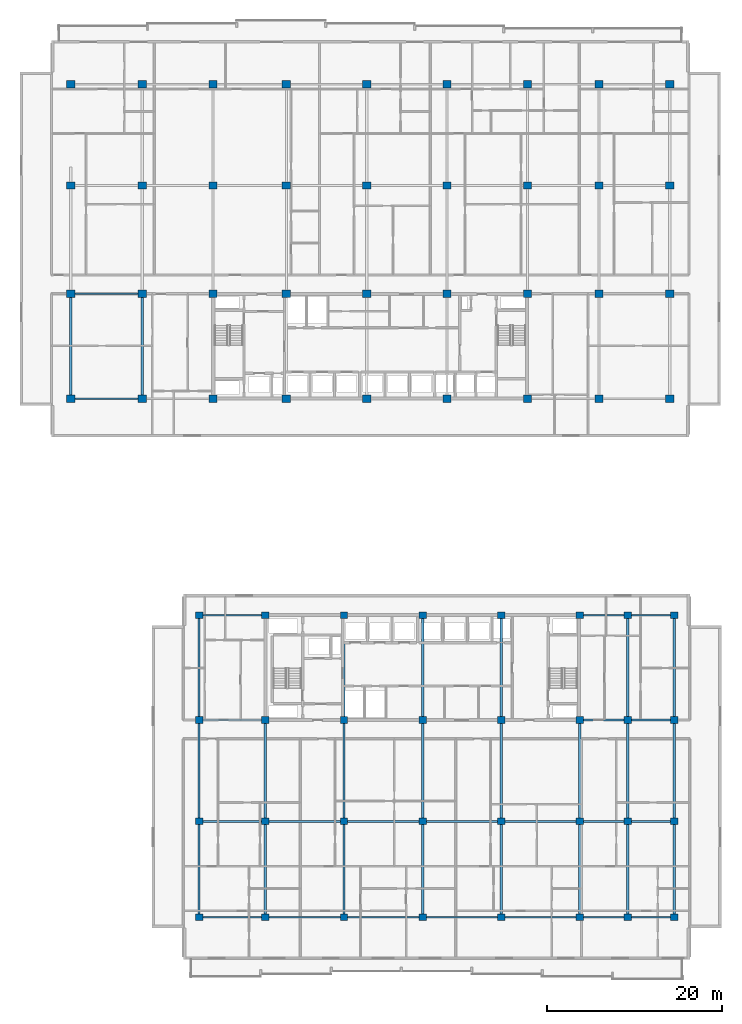
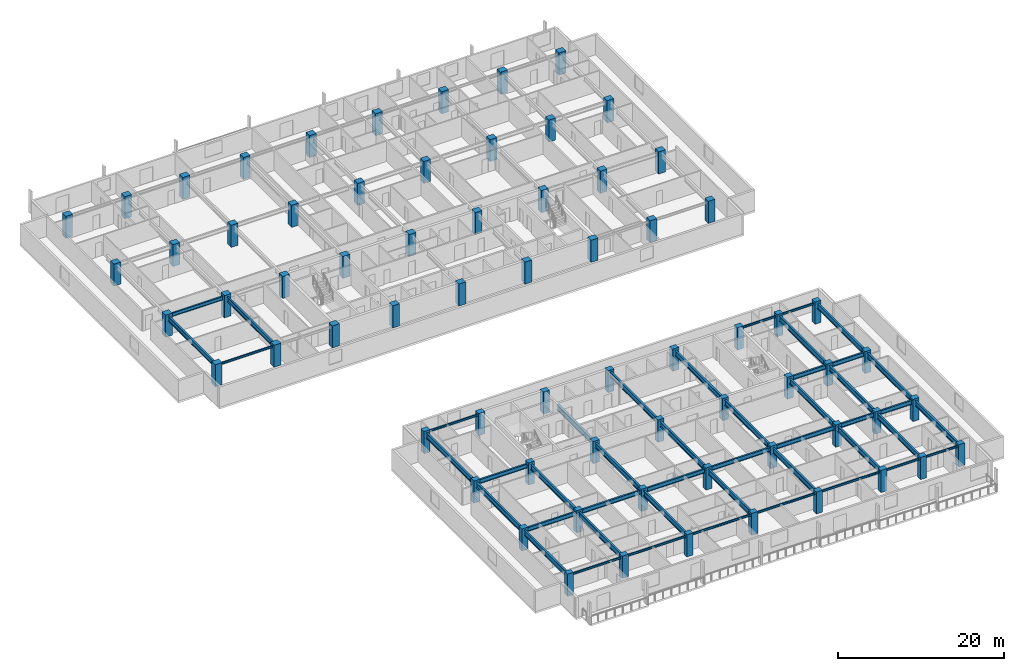
# One storey, part 1 of 22: 68 columns, 46 beams.
"""IFC4 building model written with IfcOpenShell, lengths in metres."""

from ifc_helpers import new_model, si_unit, direction, frame, origin, origin_2d, place, context, subcontext, project, spatial, rectangle, i_section, extrude, material, material_profile, profile_set, type_object, element, save


model = new_model("IFC4")

# Units and contexts
model_context = context("Model", 3, precision=1e-05, world=origin(), true_north=direction((0.0, 1.0)))
body_context = subcontext(model_context, "Body", "Model", "MODEL_VIEW")
ifc_project = project(units=[si_unit("LENGTHUNIT", "METRE"), si_unit("AREAUNIT", "SQUARE_METRE"), si_unit("VOLUMEUNIT", "CUBIC_METRE"), si_unit("PLANEANGLEUNIT", "RADIAN"), si_unit("MASSUNIT", "GRAM", prefix="KILO")], contexts=[model_context])

# Site, building, storey
site_placement = place(None, origin())
site = spatial("IfcSite", under=ifc_project, at=site_placement, CompositionType="ELEMENT")
building_placement = place(site_placement, origin())
building = spatial("IfcBuilding", under=site, at=building_placement, Name="Korimba Cascade Residences", CompositionType="ELEMENT")
storey_placement = place(building_placement, frame((0.0, 0.0, 84.050048828125)))
storey = spatial("IfcBuildingStorey", under=building, at=storey_placement, Name="L23", CompositionType="ELEMENT", Elevation=84.050048828125)

# Columns
ifc_material_1 = material(Name="Concrete C65/80", Category="concrete")
ifc_material_profile_1 = material_profile(ifc_material_1, rectangle(XDim=0.85009765625, YDim=0.75, at=origin_2d()), Name="Concrete C65/80")
ifc_profile_set_1 = profile_set([ifc_material_profile_1], Name="Concrete C65/80")
column_type_1 = type_object("IfcColumnType", Name="COL-RC-850", PredefinedType="COLUMN", material=ifc_profile_set_1)
for number, where, z_axis, x_axis, name in (
    (1, (74.5, -4.199951171875, 0.0), (0.0, 0.0, 1.0), (1.0, 0.0, 0.0), "L23 Tower 2 Column 1.1"),
    (2, (74.5, 6.800048828125, 0.0), (0.0, 0.0, 1.0), (1.0, 0.0, 0.0), "L23 Tower 2 Column 1.2"),
    (3, (74.5, 18.39990234375, 0.0), (0.0, 0.0, 1.0), (1.0, 0.0, 0.0), "L23 Tower 2 Column 1.3"),
    (4, (74.5, 30.39990234375, 0.0), (0.0, 0.0, 1.0), (1.0, 0.0, 0.0), "L23 Tower 2 Column 1.4"),
    (5, (82.10009765625, -4.199951171875, 0.0), (0.0, 0.0, 1.0), (1.0, 0.0, 0.0), "L23 Tower 2 Column 2.1"),
    (6, (82.10009765625, 6.800048828125, 0.0), (0.0, 0.0, 1.0), (1.0, 0.0, 0.0), "L23 Tower 2 Column 2.2"),
    (7, (82.10009765625, 18.39990234375, 0.0), (0.0, 0.0, 1.0), (1.0, 0.0, 0.0), "L23 Tower 2 Column 2.3"),
    (8, (82.10009765625, 30.39990234375, 0.0), (0.0, 0.0, 1.0), (1.0, 0.0, 0.0), "L23 Tower 2 Column 2.4"),
    (9, (91.10009765625, -4.199951171875, 0.0), (0.0, 0.0, 1.0), (1.0, 0.0, 0.0), "L23 Tower 2 Column 3.1"),
    (10, (91.10009765625, 6.800048828125, 0.0), (0.0, 0.0, 1.0), (1.0, 0.0, 0.0), "L23 Tower 2 Column 3.2"),
    (11, (91.10009765625, 18.39990234375, 0.0), (0.0, 0.0, 1.0), (1.0, 0.0, 0.0), "L23 Tower 2 Column 3.3"),
    (12, (91.10009765625, 30.39990234375, 0.0), (0.0, 0.0, 1.0), (1.0, 0.0, 0.0), "L23 Tower 2 Column 3.4"),
    (13, (100.10009765625, -4.199951171875, 0.0), (0.0, 0.0, 1.0), (1.0, 0.0, 0.0), "L23 Tower 2 Column 4.1"),
    (14, (100.10009765625, 6.800048828125, 0.0), (0.0, 0.0, 1.0), (1.0, 0.0, 0.0), "L23 Tower 2 Column 4.2"),
    (15, (100.10009765625, 18.39990234375, 0.0), (0.0, 0.0, 1.0), (1.0, 0.0, 0.0), "L23 Tower 2 Column 4.3"),
    (16, (100.10009765625, 30.39990234375, 0.0), (0.0, 0.0, 1.0), (1.0, 0.0, 0.0), "L23 Tower 2 Column 4.4"),
    (17, (109.10009765625, -4.199951171875, 0.0), (0.0, 0.0, 1.0), (1.0, 0.0, 0.0), "L23 Tower 2 Column 5.1"),
    (18, (109.10009765625, 6.800048828125, 0.0), (0.0, 0.0, 1.0), (1.0, 0.0, 0.0), "L23 Tower 2 Column 5.2"),
    (19, (109.10009765625, 18.39990234375, 0.0), (0.0, 0.0, 1.0), (1.0, 0.0, 0.0), "L23 Tower 2 Column 5.3"),
    (20, (109.10009765625, 30.39990234375, 0.0), (0.0, 0.0, 1.0), (1.0, 0.0, 0.0), "L23 Tower 2 Column 5.4"),
    (21, (118.10009765625, -4.199951171875, 0.0), (0.0, 0.0, 1.0), (1.0, 0.0, 0.0), "L23 Tower 2 Column 6.1"),
    (22, (118.10009765625, 6.800048828125, 0.0), (0.0, 0.0, 1.0), (1.0, 0.0, 0.0), "L23 Tower 2 Column 6.2"),
    (23, (118.10009765625, 18.39990234375, 0.0), (0.0, 0.0, 1.0), (1.0, 0.0, 0.0), "L23 Tower 2 Column 6.3"),
    (24, (118.10009765625, 30.39990234375, 0.0), (0.0, 0.0, 1.0), (1.0, 0.0, 0.0), "L23 Tower 2 Column 6.4"),
    (25, (123.60009765625, -4.199951171875, 0.0), (0.0, 0.0, 1.0), (1.0, 0.0, 0.0), "L23 Tower 2 Column 7.1"),
    (26, (123.60009765625, 6.800048828125, 0.0), (0.0, 0.0, 1.0), (1.0, 0.0, 0.0), "L23 Tower 2 Column 7.2"),
    (27, (123.60009765625, 18.39990234375, 0.0), (0.0, 0.0, 1.0), (1.0, 0.0, 0.0), "L23 Tower 2 Column 7.3"),
    (28, (123.60009765625, 30.39990234375, 0.0), (0.0, 0.0, 1.0), (1.0, 0.0, 0.0), "L23 Tower 2 Column 7.4"),
    (29, (128.89990234375, -4.199951171875, 0.0), (0.0, 0.0, 1.0), (1.0, 0.0, 0.0), "L23 Tower 2 Column 8.1"),
    (30, (128.89990234375, 6.800048828125, 0.0), (0.0, 0.0, 1.0), (1.0, 0.0, 0.0), "L23 Tower 2 Column 8.2"),
    (31, (128.89990234375, 18.39990234375, 0.0), (0.0, 0.0, 1.0), (1.0, 0.0, 0.0), "L23 Tower 2 Column 8.3"),
    (32, (128.89990234375, 30.39990234375, 0.0), (0.0, 0.0, 1.0), (1.0, 0.0, 0.0), "L23 Tower 2 Column 8.4"),
):
    element("IfcColumn", number, at=place(storey_placement, frame(where, z_axis=z_axis, x_axis=x_axis)), inside=storey, type_object=column_type_1, Name=name, PredefinedType="COLUMN", context=body_context, shape_type="SweptSolid", body=[
        extrude(rectangle(XDim=0.85009765625, YDim=0.75, at=origin_2d()), origin(), (0.0, 0.0, 1.0), 3.25),
    ])
ifc_material_profile_2 = material_profile(ifc_material_1, rectangle(XDim=0.949951171875, YDim=0.85009765625, at=origin_2d()), Name="Concrete C65/80")
ifc_profile_set_2 = profile_set([ifc_material_profile_2], Name="Concrete C65/80")
column_type_2 = type_object("IfcColumnType", Name="COL-RC-950", PredefinedType="COLUMN", material=ifc_profile_set_2)
for number, where, z_axis, x_axis, name in (
    (33, (59.800048828125, 55.199951171875, 0.0), (0.0, 0.0, 1.0), (1.0, 0.0, 0.0), "L23 Tower 1 Column 1.1"),
    (34, (59.800048828125, 67.199951171875, 0.0), (0.0, 0.0, 1.0), (1.0, 0.0, 0.0), "L23 Tower 1 Column 1.2"),
    (35, (59.800048828125, 79.60009765625, 0.0), (0.0, 0.0, 1.0), (1.0, 0.0, 0.0), "L23 Tower 1 Column 1.3"),
    (36, (59.800048828125, 91.199951171875, 0.0), (0.0, 0.0, 1.0), (1.0, 0.0, 0.0), "L23 Tower 1 Column 1.4"),
    (37, (68.0, 55.199951171875, 0.0), (0.0, 0.0, 1.0), (1.0, 0.0, 0.0), "L23 Tower 1 Column 2.1"),
    (38, (68.0, 67.199951171875, 0.0), (0.0, 0.0, 1.0), (1.0, 0.0, 0.0), "L23 Tower 1 Column 2.2"),
    (39, (68.0, 79.60009765625, 0.0), (0.0, 0.0, 1.0), (1.0, 0.0, 0.0), "L23 Tower 1 Column 2.3"),
    (40, (68.0, 91.199951171875, 0.0), (0.0, 0.0, 1.0), (1.0, 0.0, 0.0), "L23 Tower 1 Column 2.4"),
    (41, (76.10009765625, 55.199951171875, 0.0), (0.0, 0.0, 1.0), (1.0, 0.0, 0.0), "L23 Tower 1 Column 3.1"),
    (42, (76.10009765625, 67.199951171875, 0.0), (0.0, 0.0, 1.0), (1.0, 0.0, 0.0), "L23 Tower 1 Column 3.2"),
    (43, (76.10009765625, 79.60009765625, 0.0), (0.0, 0.0, 1.0), (1.0, 0.0, 0.0), "L23 Tower 1 Column 3.3"),
    (44, (76.10009765625, 91.199951171875, 0.0), (0.0, 0.0, 1.0), (1.0, 0.0, 0.0), "L23 Tower 1 Column 3.4"),
    (45, (84.5, 55.199951171875, 0.0), (0.0, 0.0, 1.0), (1.0, 0.0, 0.0), "L23 Tower 1 Column 4.1"),
    (46, (84.5, 67.199951171875, 0.0), (0.0, 0.0, 1.0), (1.0, 0.0, 0.0), "L23 Tower 1 Column 4.2"),
    (47, (84.5, 79.60009765625, 0.0), (0.0, 0.0, 1.0), (1.0, 0.0, 0.0), "L23 Tower 1 Column 4.3"),
    (48, (84.5, 91.199951171875, 0.0), (0.0, 0.0, 1.0), (1.0, 0.0, 0.0), "L23 Tower 1 Column 4.4"),
    (49, (93.699951171875, 55.199951171875, 0.0), (0.0, 0.0, 1.0), (1.0, 0.0, 0.0), "L23 Tower 1 Column 5.1"),
    (50, (93.699951171875, 67.199951171875, 0.0), (0.0, 0.0, 1.0), (1.0, 0.0, 0.0), "L23 Tower 1 Column 5.2"),
    (51, (93.699951171875, 79.60009765625, 0.0), (0.0, 0.0, 1.0), (1.0, 0.0, 0.0), "L23 Tower 1 Column 5.3"),
    (52, (93.699951171875, 91.199951171875, 0.0), (0.0, 0.0, 1.0), (1.0, 0.0, 0.0), "L23 Tower 1 Column 5.4"),
    (53, (102.89990234375, 55.199951171875, 0.0), (0.0, 0.0, 1.0), (1.0, 0.0, 0.0), "L23 Tower 1 Column 6.1"),
    (54, (102.89990234375, 67.199951171875, 0.0), (0.0, 0.0, 1.0), (1.0, 0.0, 0.0), "L23 Tower 1 Column 6.2"),
    (55, (102.89990234375, 79.60009765625, 0.0), (0.0, 0.0, 1.0), (1.0, 0.0, 0.0), "L23 Tower 1 Column 6.3"),
    (56, (102.89990234375, 91.199951171875, 0.0), (0.0, 0.0, 1.0), (1.0, 0.0, 0.0), "L23 Tower 1 Column 6.4"),
    (57, (112.10009765625, 55.199951171875, 0.0), (0.0, 0.0, 1.0), (1.0, 0.0, 0.0), "L23 Tower 1 Column 7.1"),
    (58, (112.10009765625, 67.199951171875, 0.0), (0.0, 0.0, 1.0), (1.0, 0.0, 0.0), "L23 Tower 1 Column 7.2"),
    (59, (112.10009765625, 79.60009765625, 0.0), (0.0, 0.0, 1.0), (1.0, 0.0, 0.0), "L23 Tower 1 Column 7.3"),
    (60, (112.10009765625, 91.199951171875, 0.0), (0.0, 0.0, 1.0), (1.0, 0.0, 0.0), "L23 Tower 1 Column 7.4"),
    (61, (120.300048828125, 55.199951171875, 0.0), (0.0, 0.0, 1.0), (1.0, 0.0, 0.0), "L23 Tower 1 Column 8.1"),
    (62, (120.300048828125, 67.199951171875, 0.0), (0.0, 0.0, 1.0), (1.0, 0.0, 0.0), "L23 Tower 1 Column 8.2"),
    (63, (120.300048828125, 79.60009765625, 0.0), (0.0, 0.0, 1.0), (1.0, 0.0, 0.0), "L23 Tower 1 Column 8.3"),
    (64, (120.300048828125, 91.199951171875, 0.0), (0.0, 0.0, 1.0), (1.0, 0.0, 0.0), "L23 Tower 1 Column 8.4"),
    (65, (128.39990234375, 55.199951171875, 0.0), (0.0, 0.0, 1.0), (1.0, 0.0, 0.0), "L23 Tower 1 Column 9.1"),
    (66, (128.39990234375, 67.199951171875, 0.0), (0.0, 0.0, 1.0), (1.0, 0.0, 0.0), "L23 Tower 1 Column 9.2"),
    (67, (128.39990234375, 79.60009765625, 0.0), (0.0, 0.0, 1.0), (1.0, 0.0, 0.0), "L23 Tower 1 Column 9.3"),
    (68, (128.39990234375, 91.199951171875, 0.0), (0.0, 0.0, 1.0), (1.0, 0.0, 0.0), "L23 Tower 1 Column 9.4"),
):
    element("IfcColumn", number, at=place(storey_placement, frame(where, z_axis=z_axis, x_axis=x_axis)), inside=storey, type_object=column_type_2, Name=name, PredefinedType="COLUMN", context=body_context, shape_type="SweptSolid", body=[
        extrude(rectangle(XDim=0.949951171875, YDim=0.85009765625, at=origin_2d()), origin(), (0.0, 0.0, 1.0), 3.25),
    ])

# Beams
ifc_material_2 = material(Name="Steel S355", Category="steel")
ifc_material_profile_3 = material_profile(ifc_material_2, i_section(OverallWidth=0.165771484375, OverallDepth=0.306640625, WebThickness=0.006591796875, FlangeThickness=0.01171875, FilletRadius=0.0087890625, at=origin_2d()), Name="Steel S355")
ifc_profile_set_3 = profile_set([ifc_material_profile_3], Name="Steel S355")
beam_type_1 = type_object("IfcBeamType", Name="BM-STL-UB305", PredefinedType="SPANDREL", material=ifc_profile_set_3)
beam_1_placement = place(storey_placement, frame((60.27490234375, 55.199951171875, 2.816650390625), z_axis=(1.0, 0.0, 0.0), x_axis=(0.0, 1.0, 0.0)))
element("IfcBeam", 69, at=beam_1_placement, inside=storey, type_object=beam_type_1, Name="L23 T1 E-W Girder Y1 Bay 1", PredefinedType="SPANDREL", context=body_context, shape_type="SweptSolid", body=[
    extrude(i_section(OverallWidth=0.165771484375, OverallDepth=0.306640625, WebThickness=0.006591796875, FlangeThickness=0.01171875, FilletRadius=0.0087890625, at=origin_2d()), origin(), (0.0, 0.0, 1.0), 7.25),
])
beam_2_placement = place(storey_placement, frame((74.925048828125, -4.199951171875, 2.816650390625), z_axis=(1.0, 0.0, 0.0), x_axis=(0.0, 1.0, 0.0)))
element("IfcBeam", 70, at=beam_2_placement, inside=storey, type_object=beam_type_1, Name="L23 T2 E-W Girder Y1 Bay 1", PredefinedType="SPANDREL", context=body_context, shape_type="SweptSolid", body=[
    extrude(i_section(OverallWidth=0.165771484375, OverallDepth=0.306640625, WebThickness=0.006591796875, FlangeThickness=0.01171875, FilletRadius=0.0087890625, at=origin_2d()), origin(), (0.0, 0.0, 1.0), 6.75),
])
for number, where, z_axis, x_axis, name in (
    (71, (82.52490234375, -4.199951171875, 2.816650390625), (1.0, 0.0, 0.0), (0.0, 1.0, 0.0), "L23 T2 E-W Girder Y1 Bay 2"),
    (72, (91.52490234375, -4.199951171875, 2.816650390625), (1.0, 0.0, 0.0), (0.0, 1.0, 0.0), "L23 T2 E-W Girder Y1 Bay 3"),
    (73, (100.52490234375, -4.199951171875, 2.816650390625), (1.0, 0.0, 0.0), (0.0, 1.0, 0.0), "L23 T2 E-W Girder Y1 Bay 4"),
    (74, (109.52490234375, -4.199951171875, 2.816650390625), (1.0, 0.0, 0.0), (0.0, 1.0, 0.0), "L23 T2 E-W Girder Y1 Bay 5"),
):
    element("IfcBeam", number, at=place(storey_placement, frame(where, z_axis=z_axis, x_axis=x_axis)), inside=storey, type_object=beam_type_1, Name=name, PredefinedType="SPANDREL", context=body_context, shape_type="SweptSolid", body=[
        extrude(i_section(OverallWidth=0.165771484375, OverallDepth=0.306640625, WebThickness=0.006591796875, FlangeThickness=0.01171875, FilletRadius=0.0087890625, at=origin_2d()), origin(), (0.0, 0.0, 1.0), 8.150146484375),
    ])
beam_3_placement = place(storey_placement, frame((118.52490234375, -4.199951171875, 2.816650390625), z_axis=(1.0, 0.0, 0.0), x_axis=(0.0, 1.0, 0.0)))
element("IfcBeam", 75, at=beam_3_placement, inside=storey, type_object=beam_type_1, Name="L23 T2 E-W Girder Y1 Bay 6", PredefinedType="SPANDREL", context=body_context, shape_type="SweptSolid", body=[
    extrude(i_section(OverallWidth=0.165771484375, OverallDepth=0.306640625, WebThickness=0.006591796875, FlangeThickness=0.01171875, FilletRadius=0.0087890625, at=origin_2d()), origin(), (0.0, 0.0, 1.0), 4.650146484375),
])
beam_4_placement = place(storey_placement, frame((124.02490234375, -4.199951171875, 2.816650390625), z_axis=(1.0, 0.0, 0.0), x_axis=(0.0, 1.0, 0.0)))
element("IfcBeam", 76, at=beam_4_placement, inside=storey, type_object=beam_type_1, Name="L23 T2 E-W Girder Y1 Bay 7", PredefinedType="SPANDREL", context=body_context, shape_type="SweptSolid", body=[
    extrude(i_section(OverallWidth=0.165771484375, OverallDepth=0.306640625, WebThickness=0.006591796875, FlangeThickness=0.01171875, FilletRadius=0.0087890625, at=origin_2d()), origin(), (0.0, 0.0, 1.0), 4.4501953125),
])
beam_5_placement = place(storey_placement, frame((74.925048828125, 30.39990234375, 2.816650390625), z_axis=(1.0, 0.0, 0.0), x_axis=(0.0, 1.0, 0.0)))
element("IfcBeam", 77, at=beam_5_placement, inside=storey, type_object=beam_type_1, Name="L23 T2 E-W Girder Y4 Bay 1", PredefinedType="SPANDREL", context=body_context, shape_type="SweptSolid", body=[
    extrude(i_section(OverallWidth=0.165771484375, OverallDepth=0.306640625, WebThickness=0.006591796875, FlangeThickness=0.01171875, FilletRadius=0.0087890625, at=origin_2d()), origin(), (0.0, 0.0, 1.0), 6.75),
])
beam_6_placement = place(storey_placement, frame((118.52490234375, 30.39990234375, 2.816650390625), z_axis=(1.0, 0.0, 0.0), x_axis=(0.0, 1.0, 0.0)))
element("IfcBeam", 78, at=beam_6_placement, inside=storey, type_object=beam_type_1, Name="L23 T2 E-W Girder Y4 Bay 6", PredefinedType="SPANDREL", context=body_context, shape_type="SweptSolid", body=[
    extrude(i_section(OverallWidth=0.165771484375, OverallDepth=0.306640625, WebThickness=0.006591796875, FlangeThickness=0.01171875, FilletRadius=0.0087890625, at=origin_2d()), origin(), (0.0, 0.0, 1.0), 4.650146484375),
])
beam_7_placement = place(storey_placement, frame((124.02490234375, 30.39990234375, 2.816650390625), z_axis=(1.0, 0.0, 0.0), x_axis=(0.0, 1.0, 0.0)))
element("IfcBeam", 79, at=beam_7_placement, inside=storey, type_object=beam_type_1, Name="L23 T2 E-W Girder Y4 Bay 7", PredefinedType="SPANDREL", context=body_context, shape_type="SweptSolid", body=[
    extrude(i_section(OverallWidth=0.165771484375, OverallDepth=0.306640625, WebThickness=0.006591796875, FlangeThickness=0.01171875, FilletRadius=0.0087890625, at=origin_2d()), origin(), (0.0, 0.0, 1.0), 4.4501953125),
])
ifc_material_profile_4 = material_profile(ifc_material_2, i_section(OverallWidth=0.2099609375, OverallDepth=0.53662109375, WebThickness=0.0107421875, FlangeThickness=0.017333984375, FilletRadius=0.0126953125, at=origin_2d()), Name="Steel S355")
ifc_profile_set_4 = profile_set([ifc_material_profile_4], Name="Steel S355")
beam_type_2 = type_object("IfcBeamType", Name="BM-STL-UB533", PredefinedType="BEAM", material=ifc_profile_set_4)
beam_8_placement = place(storey_placement, frame((60.27490234375, 67.199951171875, 2.70166015625), z_axis=(1.0, 0.0, 0.0), x_axis=(0.0, 1.0, 0.0)))
element("IfcBeam", 80, at=beam_8_placement, inside=storey, type_object=beam_type_2, Name="L23 T1 E-W Girder Y2 Bay 1", PredefinedType="BEAM", context=body_context, shape_type="SweptSolid", body=[
    extrude(i_section(OverallWidth=0.2099609375, OverallDepth=0.53662109375, WebThickness=0.0107421875, FlangeThickness=0.017333984375, FilletRadius=0.0126953125, at=origin_2d()), origin(), (0.0, 0.0, 1.0), 7.25),
])
ifc_material_profile_5 = material_profile(ifc_material_2, i_section(OverallWidth=0.22900390625, OverallDepth=0.6123046875, WebThickness=0.011962890625, FlangeThickness=0.01953125, FilletRadius=0.0126953125, at=origin_2d()), Name="Steel S355")
ifc_profile_set_5 = profile_set([ifc_material_profile_5], Name="Steel S355")
beam_type_3 = type_object("IfcBeamType", Name="BM-STL-UB610B", PredefinedType="BEAM", material=ifc_profile_set_5)
beam_9_placement = place(storey_placement, frame((74.925048828125, 6.800048828125, 2.663818359375), z_axis=(1.0, 0.0, 0.0), x_axis=(0.0, 1.0, 0.0)))
element("IfcBeam", 81, at=beam_9_placement, inside=storey, type_object=beam_type_3, Name="L23 T2 E-W Girder Y2 Bay 1", PredefinedType="BEAM", context=body_context, shape_type="SweptSolid", body=[
    extrude(i_section(OverallWidth=0.22900390625, OverallDepth=0.6123046875, WebThickness=0.011962890625, FlangeThickness=0.01953125, FilletRadius=0.0126953125, at=origin_2d()), origin(), (0.0, 0.0, 1.0), 6.75),
])
for number, where, z_axis, x_axis, name in (
    (82, (82.52490234375, 6.800048828125, 2.663818359375), (1.0, 0.0, 0.0), (0.0, 1.0, 0.0), "L23 T2 E-W Girder Y2 Bay 2"),
    (83, (91.52490234375, 6.800048828125, 2.663818359375), (1.0, 0.0, 0.0), (0.0, 1.0, 0.0), "L23 T2 E-W Girder Y2 Bay 3"),
    (84, (100.52490234375, 6.800048828125, 2.663818359375), (1.0, 0.0, 0.0), (0.0, 1.0, 0.0), "L23 T2 E-W Girder Y2 Bay 4"),
    (85, (109.52490234375, 6.800048828125, 2.663818359375), (1.0, 0.0, 0.0), (0.0, 1.0, 0.0), "L23 T2 E-W Girder Y2 Bay 5"),
):
    element("IfcBeam", number, at=place(storey_placement, frame(where, z_axis=z_axis, x_axis=x_axis)), inside=storey, type_object=beam_type_3, Name=name, PredefinedType="BEAM", context=body_context, shape_type="SweptSolid", body=[
        extrude(i_section(OverallWidth=0.22900390625, OverallDepth=0.6123046875, WebThickness=0.011962890625, FlangeThickness=0.01953125, FilletRadius=0.0126953125, at=origin_2d()), origin(), (0.0, 0.0, 1.0), 8.150146484375),
    ])
beam_10_placement = place(storey_placement, frame((118.52490234375, 6.800048828125, 2.663818359375), z_axis=(1.0, 0.0, 0.0), x_axis=(0.0, 1.0, 0.0)))
element("IfcBeam", 86, at=beam_10_placement, inside=storey, type_object=beam_type_3, Name="L23 T2 E-W Girder Y2 Bay 6", PredefinedType="BEAM", context=body_context, shape_type="SweptSolid", body=[
    extrude(i_section(OverallWidth=0.22900390625, OverallDepth=0.6123046875, WebThickness=0.011962890625, FlangeThickness=0.01953125, FilletRadius=0.0126953125, at=origin_2d()), origin(), (0.0, 0.0, 1.0), 4.650146484375),
])
beam_11_placement = place(storey_placement, frame((124.02490234375, 6.800048828125, 2.663818359375), z_axis=(1.0, 0.0, 0.0), x_axis=(0.0, 1.0, 0.0)))
element("IfcBeam", 87, at=beam_11_placement, inside=storey, type_object=beam_type_3, Name="L23 T2 E-W Girder Y2 Bay 7", PredefinedType="BEAM", context=body_context, shape_type="SweptSolid", body=[
    extrude(i_section(OverallWidth=0.22900390625, OverallDepth=0.6123046875, WebThickness=0.011962890625, FlangeThickness=0.01953125, FilletRadius=0.0126953125, at=origin_2d()), origin(), (0.0, 0.0, 1.0), 4.4501953125),
])
beam_12_placement = place(storey_placement, frame((74.925048828125, 18.39990234375, 2.663818359375), z_axis=(1.0, 0.0, 0.0), x_axis=(0.0, 1.0, 0.0)))
element("IfcBeam", 88, at=beam_12_placement, inside=storey, type_object=beam_type_3, Name="L23 T2 E-W Girder Y3 Bay 1", PredefinedType="BEAM", context=body_context, shape_type="SweptSolid", body=[
    extrude(i_section(OverallWidth=0.22900390625, OverallDepth=0.6123046875, WebThickness=0.011962890625, FlangeThickness=0.01953125, FilletRadius=0.0126953125, at=origin_2d()), origin(), (0.0, 0.0, 1.0), 6.75),
])
beam_13_placement = place(storey_placement, frame((118.52490234375, 18.39990234375, 2.663818359375), z_axis=(1.0, 0.0, 0.0), x_axis=(0.0, 1.0, 0.0)))
element("IfcBeam", 89, at=beam_13_placement, inside=storey, type_object=beam_type_3, Name="L23 T2 E-W Girder Y3 Bay 6", PredefinedType="BEAM", context=body_context, shape_type="SweptSolid", body=[
    extrude(i_section(OverallWidth=0.22900390625, OverallDepth=0.6123046875, WebThickness=0.011962890625, FlangeThickness=0.01953125, FilletRadius=0.0126953125, at=origin_2d()), origin(), (0.0, 0.0, 1.0), 4.650146484375),
])
beam_14_placement = place(storey_placement, frame((124.02490234375, 18.39990234375, 2.663818359375), z_axis=(1.0, 0.0, 0.0), x_axis=(0.0, 1.0, 0.0)))
element("IfcBeam", 90, at=beam_14_placement, inside=storey, type_object=beam_type_3, Name="L23 T2 E-W Girder Y3 Bay 7", PredefinedType="BEAM", context=body_context, shape_type="SweptSolid", body=[
    extrude(i_section(OverallWidth=0.22900390625, OverallDepth=0.6123046875, WebThickness=0.011962890625, FlangeThickness=0.01953125, FilletRadius=0.0126953125, at=origin_2d()), origin(), (0.0, 0.0, 1.0), 4.4501953125),
])
ifc_material_profile_6 = material_profile(ifc_material_2, i_section(OverallWidth=0.255859375, OverallDepth=0.69287109375, WebThickness=0.014404296875, FlangeThickness=0.023681640625, FilletRadius=0.01513671875, at=origin_2d()), Name="Steel S355")
ifc_profile_set_6 = profile_set([ifc_material_profile_6], Name="Steel S355")
beam_type_4 = type_object("IfcBeamType", Name="BM-STL-UB686", PredefinedType="BEAM", material=ifc_profile_set_6)
for number, where, z_axis, x_axis, name in (
    (91, (59.800048828125, 55.625, 2.62353515625), (0.0, 1.0, 0.0), (-1.0, 0.0, 0.0), "L23 T1 N-S Girder X1 Seg 1"),
    (92, (68.0, 55.625, 2.62353515625), (0.0, 1.0, 0.0), (-1.0, 0.0, 0.0), "L23 T1 N-S Girder X2 Seg 1"),
):
    element("IfcBeam", number, at=place(storey_placement, frame(where, z_axis=z_axis, x_axis=x_axis)), inside=storey, type_object=beam_type_4, Name=name, PredefinedType="BEAM", context=body_context, shape_type="SweptSolid", body=[
        extrude(i_section(OverallWidth=0.255859375, OverallDepth=0.69287109375, WebThickness=0.014404296875, FlangeThickness=0.023681640625, FilletRadius=0.01513671875, at=origin_2d()), origin(), (0.0, 0.0, 1.0), 11.14990234375),
    ])
ifc_material_profile_7 = material_profile(ifc_material_2, i_section(OverallWidth=0.26806640625, OverallDepth=0.769775390625, WebThickness=0.015625, FlangeThickness=0.025390625, FilletRadius=0.0166015625, at=origin_2d()), Name="Steel S355")
ifc_profile_set_7 = profile_set([ifc_material_profile_7], Name="Steel S355")
beam_type_5 = type_object("IfcBeamType", Name="BM-STL-UB762", PredefinedType="BEAM", material=ifc_profile_set_7)
beam_15_placement = place(storey_placement, frame((74.5, -3.824951171875, 2.5849609375), z_axis=(0.0, 1.0, 0.0), x_axis=(-1.0, 0.0, 0.0)))
element("IfcBeam", 93, at=beam_15_placement, inside=storey, type_object=beam_type_5, Name="L23 T2 N-S Girder X1 Seg 1", PredefinedType="BEAM", context=body_context, shape_type="SweptSolid", body=[
    extrude(i_section(OverallWidth=0.26806640625, OverallDepth=0.769775390625, WebThickness=0.015625, FlangeThickness=0.025390625, FilletRadius=0.0166015625, at=origin_2d()), origin(), (0.0, 0.0, 1.0), 10.25),
])
beam_16_placement = place(storey_placement, frame((74.5, 7.175048828125, 2.5849609375), z_axis=(0.0, 1.0, 0.0), x_axis=(-1.0, 0.0, 0.0)))
element("IfcBeam", 94, at=beam_16_placement, inside=storey, type_object=beam_type_5, Name="L23 T2 N-S Girder X1 Seg 2", PredefinedType="BEAM", context=body_context, shape_type="SweptSolid", body=[
    extrude(i_section(OverallWidth=0.26806640625, OverallDepth=0.769775390625, WebThickness=0.015625, FlangeThickness=0.025390625, FilletRadius=0.0166015625, at=origin_2d()), origin(), (0.0, 0.0, 1.0), 10.849853515625),
])
beam_17_placement = place(storey_placement, frame((74.5, 18.77490234375, 2.5849609375), z_axis=(0.0, 1.0, 0.0), x_axis=(-1.0, 0.0, 0.0)))
element("IfcBeam", 95, at=beam_17_placement, inside=storey, type_object=beam_type_5, Name="L23 T2 N-S Girder X1 Seg 3", PredefinedType="BEAM", context=body_context, shape_type="SweptSolid", body=[
    extrude(i_section(OverallWidth=0.26806640625, OverallDepth=0.769775390625, WebThickness=0.015625, FlangeThickness=0.025390625, FilletRadius=0.0166015625, at=origin_2d()), origin(), (0.0, 0.0, 1.0), 11.25),
])
beam_18_placement = place(storey_placement, frame((82.10009765625, -3.824951171875, 2.5849609375), z_axis=(0.0, 1.0, 0.0), x_axis=(-1.0, 0.0, 0.0)))
element("IfcBeam", 96, at=beam_18_placement, inside=storey, type_object=beam_type_5, Name="L23 T2 N-S Girder X2 Seg 1", PredefinedType="BEAM", context=body_context, shape_type="SweptSolid", body=[
    extrude(i_section(OverallWidth=0.26806640625, OverallDepth=0.769775390625, WebThickness=0.015625, FlangeThickness=0.025390625, FilletRadius=0.0166015625, at=origin_2d()), origin(), (0.0, 0.0, 1.0), 10.25),
])
beam_19_placement = place(storey_placement, frame((82.10009765625, 7.175048828125, 2.5849609375), z_axis=(0.0, 1.0, 0.0), x_axis=(-1.0, 0.0, 0.0)))
element("IfcBeam", 97, at=beam_19_placement, inside=storey, type_object=beam_type_5, Name="L23 T2 N-S Girder X2 Seg 2", PredefinedType="BEAM", context=body_context, shape_type="SweptSolid", body=[
    extrude(i_section(OverallWidth=0.26806640625, OverallDepth=0.769775390625, WebThickness=0.015625, FlangeThickness=0.025390625, FilletRadius=0.0166015625, at=origin_2d()), origin(), (0.0, 0.0, 1.0), 10.849853515625),
])
beam_20_placement = place(storey_placement, frame((91.10009765625, -3.824951171875, 2.5849609375), z_axis=(0.0, 1.0, 0.0), x_axis=(-1.0, 0.0, 0.0)))
element("IfcBeam", 98, at=beam_20_placement, inside=storey, type_object=beam_type_5, Name="L23 T2 N-S Girder X3 Seg 1", PredefinedType="BEAM", context=body_context, shape_type="SweptSolid", body=[
    extrude(i_section(OverallWidth=0.26806640625, OverallDepth=0.769775390625, WebThickness=0.015625, FlangeThickness=0.025390625, FilletRadius=0.0166015625, at=origin_2d()), origin(), (0.0, 0.0, 1.0), 10.25),
])
beam_21_placement = place(storey_placement, frame((91.10009765625, 7.175048828125, 2.5849609375), z_axis=(0.0, 1.0, 0.0), x_axis=(-1.0, 0.0, 0.0)))
element("IfcBeam", 99, at=beam_21_placement, inside=storey, type_object=beam_type_5, Name="L23 T2 N-S Girder X3 Seg 2", PredefinedType="BEAM", context=body_context, shape_type="SweptSolid", body=[
    extrude(i_section(OverallWidth=0.26806640625, OverallDepth=0.769775390625, WebThickness=0.015625, FlangeThickness=0.025390625, FilletRadius=0.0166015625, at=origin_2d()), origin(), (0.0, 0.0, 1.0), 10.849853515625),
])
beam_22_placement = place(storey_placement, frame((91.10009765625, 18.77490234375, 2.5849609375), z_axis=(0.0, 1.0, 0.0), x_axis=(-1.0, 0.0, 0.0)))
element("IfcBeam", 100, at=beam_22_placement, inside=storey, type_object=beam_type_5, Name="L23 T2 N-S Girder X3 Seg 3", PredefinedType="BEAM", context=body_context, shape_type="SweptSolid", body=[
    extrude(i_section(OverallWidth=0.26806640625, OverallDepth=0.769775390625, WebThickness=0.015625, FlangeThickness=0.025390625, FilletRadius=0.0166015625, at=origin_2d()), origin(), (0.0, 0.0, 1.0), 8.565185546875),
])
beam_23_placement = place(storey_placement, frame((100.10009765625, -3.824951171875, 2.5849609375), z_axis=(0.0, 1.0, 0.0), x_axis=(-1.0, 0.0, 0.0)))
element("IfcBeam", 101, at=beam_23_placement, inside=storey, type_object=beam_type_5, Name="L23 T2 N-S Girder X4 Seg 1", PredefinedType="BEAM", context=body_context, shape_type="SweptSolid", body=[
    extrude(i_section(OverallWidth=0.26806640625, OverallDepth=0.769775390625, WebThickness=0.015625, FlangeThickness=0.025390625, FilletRadius=0.0166015625, at=origin_2d()), origin(), (0.0, 0.0, 1.0), 10.25),
])
beam_24_placement = place(storey_placement, frame((100.10009765625, 7.175048828125, 2.5849609375), z_axis=(0.0, 1.0, 0.0), x_axis=(-1.0, 0.0, 0.0)))
element("IfcBeam", 102, at=beam_24_placement, inside=storey, type_object=beam_type_5, Name="L23 T2 N-S Girder X4 Seg 2", PredefinedType="BEAM", context=body_context, shape_type="SweptSolid", body=[
    extrude(i_section(OverallWidth=0.26806640625, OverallDepth=0.769775390625, WebThickness=0.015625, FlangeThickness=0.025390625, FilletRadius=0.0166015625, at=origin_2d()), origin(), (0.0, 0.0, 1.0), 10.849853515625),
])
beam_25_placement = place(storey_placement, frame((100.10009765625, 18.77490234375, 2.5849609375), z_axis=(0.0, 1.0, 0.0), x_axis=(-1.0, 0.0, 0.0)))
element("IfcBeam", 103, at=beam_25_placement, inside=storey, type_object=beam_type_5, Name="L23 T2 N-S Girder X4 Seg 3", PredefinedType="BEAM", context=body_context, shape_type="SweptSolid", body=[
    extrude(i_section(OverallWidth=0.26806640625, OverallDepth=0.769775390625, WebThickness=0.015625, FlangeThickness=0.025390625, FilletRadius=0.0166015625, at=origin_2d()), origin(), (0.0, 0.0, 1.0), 11.25),
])
beam_26_placement = place(storey_placement, frame((109.10009765625, -3.824951171875, 2.5849609375), z_axis=(0.0, 1.0, 0.0), x_axis=(-1.0, 0.0, 0.0)))
element("IfcBeam", 104, at=beam_26_placement, inside=storey, type_object=beam_type_5, Name="L23 T2 N-S Girder X5 Seg 1", PredefinedType="BEAM", context=body_context, shape_type="SweptSolid", body=[
    extrude(i_section(OverallWidth=0.26806640625, OverallDepth=0.769775390625, WebThickness=0.015625, FlangeThickness=0.025390625, FilletRadius=0.0166015625, at=origin_2d()), origin(), (0.0, 0.0, 1.0), 10.25),
])
beam_27_placement = place(storey_placement, frame((109.10009765625, 7.175048828125, 2.5849609375), z_axis=(0.0, 1.0, 0.0), x_axis=(-1.0, 0.0, 0.0)))
element("IfcBeam", 105, at=beam_27_placement, inside=storey, type_object=beam_type_5, Name="L23 T2 N-S Girder X5 Seg 2", PredefinedType="BEAM", context=body_context, shape_type="SweptSolid", body=[
    extrude(i_section(OverallWidth=0.26806640625, OverallDepth=0.769775390625, WebThickness=0.015625, FlangeThickness=0.025390625, FilletRadius=0.0166015625, at=origin_2d()), origin(), (0.0, 0.0, 1.0), 10.849853515625),
])
beam_28_placement = place(storey_placement, frame((109.10009765625, 18.77490234375, 2.5849609375), z_axis=(0.0, 1.0, 0.0), x_axis=(-1.0, 0.0, 0.0)))
element("IfcBeam", 106, at=beam_28_placement, inside=storey, type_object=beam_type_5, Name="L23 T2 N-S Girder X5 Seg 3", PredefinedType="BEAM", context=body_context, shape_type="SweptSolid", body=[
    extrude(i_section(OverallWidth=0.26806640625, OverallDepth=0.769775390625, WebThickness=0.015625, FlangeThickness=0.025390625, FilletRadius=0.0166015625, at=origin_2d()), origin(), (0.0, 0.0, 1.0), 11.25),
])
beam_29_placement = place(storey_placement, frame((118.10009765625, -3.824951171875, 2.5849609375), z_axis=(0.0, 1.0, 0.0), x_axis=(-1.0, 0.0, 0.0)))
element("IfcBeam", 107, at=beam_29_placement, inside=storey, type_object=beam_type_5, Name="L23 T2 N-S Girder X6 Seg 1", PredefinedType="BEAM", context=body_context, shape_type="SweptSolid", body=[
    extrude(i_section(OverallWidth=0.26806640625, OverallDepth=0.769775390625, WebThickness=0.015625, FlangeThickness=0.025390625, FilletRadius=0.0166015625, at=origin_2d()), origin(), (0.0, 0.0, 1.0), 10.25),
])
beam_30_placement = place(storey_placement, frame((118.10009765625, 7.175048828125, 2.5849609375), z_axis=(0.0, 1.0, 0.0), x_axis=(-1.0, 0.0, 0.0)))
element("IfcBeam", 108, at=beam_30_placement, inside=storey, type_object=beam_type_5, Name="L23 T2 N-S Girder X6 Seg 2", PredefinedType="BEAM", context=body_context, shape_type="SweptSolid", body=[
    extrude(i_section(OverallWidth=0.26806640625, OverallDepth=0.769775390625, WebThickness=0.015625, FlangeThickness=0.025390625, FilletRadius=0.0166015625, at=origin_2d()), origin(), (0.0, 0.0, 1.0), 10.849853515625),
])
beam_31_placement = place(storey_placement, frame((123.60009765625, -3.824951171875, 2.5849609375), z_axis=(0.0, 1.0, 0.0), x_axis=(-1.0, 0.0, 0.0)))
element("IfcBeam", 109, at=beam_31_placement, inside=storey, type_object=beam_type_5, Name="L23 T2 N-S Girder X7 Seg 1", PredefinedType="BEAM", context=body_context, shape_type="SweptSolid", body=[
    extrude(i_section(OverallWidth=0.26806640625, OverallDepth=0.769775390625, WebThickness=0.015625, FlangeThickness=0.025390625, FilletRadius=0.0166015625, at=origin_2d()), origin(), (0.0, 0.0, 1.0), 10.25),
])
beam_32_placement = place(storey_placement, frame((123.60009765625, 7.175048828125, 2.5849609375), z_axis=(0.0, 1.0, 0.0), x_axis=(-1.0, 0.0, 0.0)))
element("IfcBeam", 110, at=beam_32_placement, inside=storey, type_object=beam_type_5, Name="L23 T2 N-S Girder X7 Seg 2", PredefinedType="BEAM", context=body_context, shape_type="SweptSolid", body=[
    extrude(i_section(OverallWidth=0.26806640625, OverallDepth=0.769775390625, WebThickness=0.015625, FlangeThickness=0.025390625, FilletRadius=0.0166015625, at=origin_2d()), origin(), (0.0, 0.0, 1.0), 10.849853515625),
])
beam_33_placement = place(storey_placement, frame((123.60009765625, 18.77490234375, 2.5849609375), z_axis=(0.0, 1.0, 0.0), x_axis=(-1.0, 0.0, 0.0)))
element("IfcBeam", 111, at=beam_33_placement, inside=storey, type_object=beam_type_5, Name="L23 T2 N-S Girder X7 Seg 3", PredefinedType="BEAM", context=body_context, shape_type="SweptSolid", body=[
    extrude(i_section(OverallWidth=0.26806640625, OverallDepth=0.769775390625, WebThickness=0.015625, FlangeThickness=0.025390625, FilletRadius=0.0166015625, at=origin_2d()), origin(), (0.0, 0.0, 1.0), 11.25),
])
beam_34_placement = place(storey_placement, frame((128.89990234375, -3.824951171875, 2.5849609375), z_axis=(0.0, 1.0, 0.0), x_axis=(-1.0, 0.0, 0.0)))
element("IfcBeam", 112, at=beam_34_placement, inside=storey, type_object=beam_type_5, Name="L23 T2 N-S Girder X8 Seg 1", PredefinedType="BEAM", context=body_context, shape_type="SweptSolid", body=[
    extrude(i_section(OverallWidth=0.26806640625, OverallDepth=0.769775390625, WebThickness=0.015625, FlangeThickness=0.025390625, FilletRadius=0.0166015625, at=origin_2d()), origin(), (0.0, 0.0, 1.0), 10.25),
])
beam_35_placement = place(storey_placement, frame((128.89990234375, 7.175048828125, 2.5849609375), z_axis=(0.0, 1.0, 0.0), x_axis=(-1.0, 0.0, 0.0)))
element("IfcBeam", 113, at=beam_35_placement, inside=storey, type_object=beam_type_5, Name="L23 T2 N-S Girder X8 Seg 2", PredefinedType="BEAM", context=body_context, shape_type="SweptSolid", body=[
    extrude(i_section(OverallWidth=0.26806640625, OverallDepth=0.769775390625, WebThickness=0.015625, FlangeThickness=0.025390625, FilletRadius=0.0166015625, at=origin_2d()), origin(), (0.0, 0.0, 1.0), 10.849853515625),
])
beam_36_placement = place(storey_placement, frame((128.89990234375, 18.77490234375, 2.5849609375), z_axis=(0.0, 1.0, 0.0), x_axis=(-1.0, 0.0, 0.0)))
element("IfcBeam", 114, at=beam_36_placement, inside=storey, type_object=beam_type_5, Name="L23 T2 N-S Girder X8 Seg 3", PredefinedType="BEAM", context=body_context, shape_type="SweptSolid", body=[
    extrude(i_section(OverallWidth=0.26806640625, OverallDepth=0.769775390625, WebThickness=0.015625, FlangeThickness=0.025390625, FilletRadius=0.0166015625, at=origin_2d()), origin(), (0.0, 0.0, 1.0), 11.25),
])

save(model, "model.ifc")
